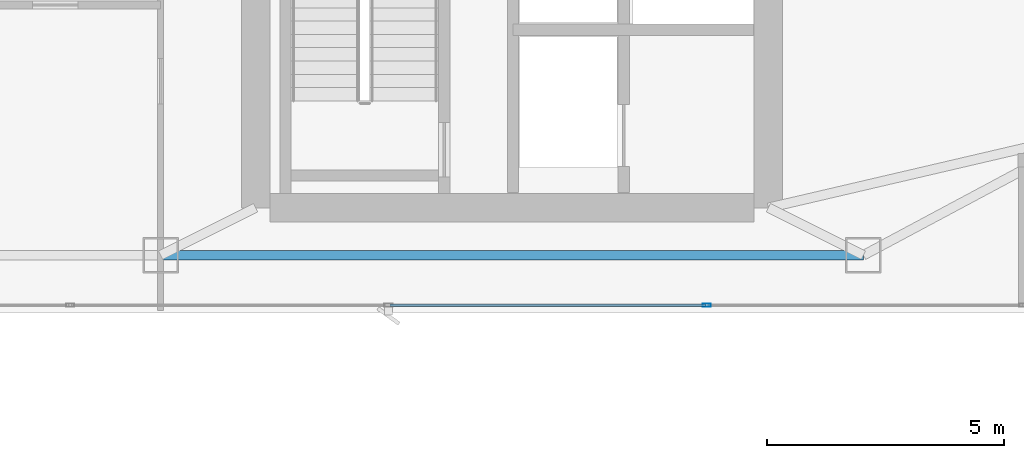
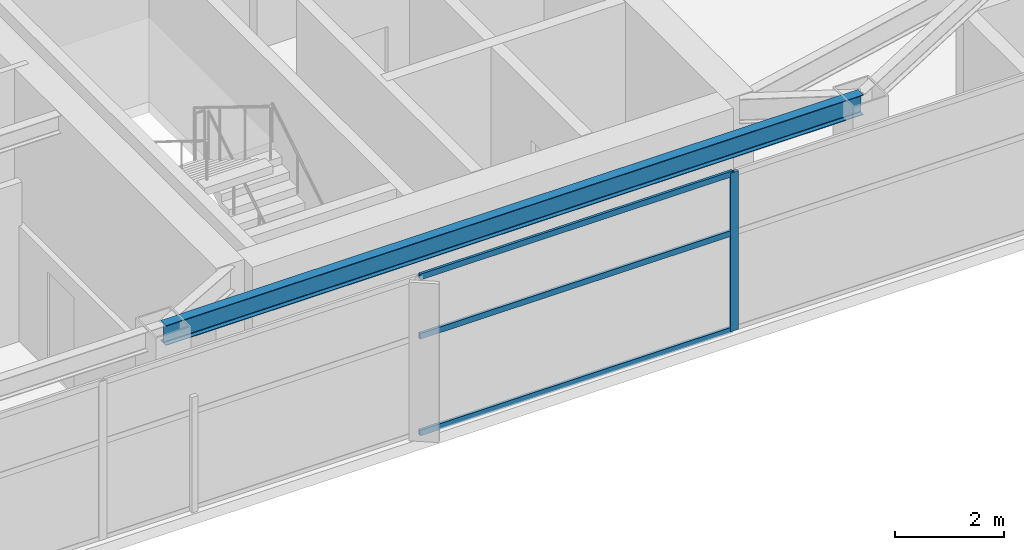
# One storey, part 8 of 27: 4 members, 1 beam, 1 element without a shape of its own.
"""IFC4 building model written with IfcOpenShell, lengths in metres."""

from ifc_helpers import new_model, si_unit, direction, frame, origin, origin_2d, place, context, subcontext, project, spatial, hollow_rectangle, i_section, extrude, material, layer, layer_set, material_profile, profile_set, type_object, element, aggregate, save


model = new_model("IFC4")

# Units and contexts
model_context = context("Model", 3, precision=1e-05, world=origin(), true_north=direction((0.0, 1.0)))
body_context = subcontext(model_context, "Body", "Model", "MODEL_VIEW")
ifc_project = project(units=[si_unit("LENGTHUNIT", "METRE"), si_unit("AREAUNIT", "SQUARE_METRE"), si_unit("VOLUMEUNIT", "CUBIC_METRE"), si_unit("PLANEANGLEUNIT", "RADIAN"), si_unit("MASSUNIT", "GRAM", prefix="KILO")], contexts=[model_context])

# Site, building, storey
site_placement = place(None, origin())
site = spatial("IfcSite", under=ifc_project, at=site_placement, CompositionType="ELEMENT")
building_placement = place(site_placement, origin())
building = spatial("IfcBuilding", under=site, at=building_placement, Name="Calvorn Quay Hotel", CompositionType="ELEMENT")
storey_placement = place(building_placement, frame((0.0, 0.0, 294.89990234375)))
storey = spatial("IfcBuildingStorey", under=building, at=storey_placement, Name="L73", CompositionType="ELEMENT", Elevation=294.89990234375)

# Beam
ifc_material_1 = material(Name="Steel Q355B", Category="steel")
ifc_material_profile_1 = material_profile(ifc_material_1, i_section(OverallWidth=0.199951171875, OverallDepth=0.449951171875, WebThickness=0.009033203125, FlangeThickness=0.013916015625, FilletRadius=0.01611328125, at=origin_2d()), Name="HN450x200x9x14")
ifc_profile_set_1 = profile_set([ifc_material_profile_1], Name="Steel Q355B")
beam_type = type_object("IfcBeamType", Name="BM-SPANDREL-Z3", PredefinedType="SPANDREL", material=ifc_profile_set_1)
beam_placement = place(storey_placement, frame((19.60009765625, 3.60009765625, 3.315185546875), z_axis=(1.0, 0.0, 0.0), x_axis=(0.0, 1.0, 0.0)))
element("IfcBeam", 1, at=beam_placement, inside=storey, type_object=beam_type, Name="Beam BSP-L73-S3", PredefinedType="SPANDREL", context=body_context, shape_type="SweptSolid", body=[
    extrude(i_section(OverallWidth=0.199951171875, OverallDepth=0.449951171875, WebThickness=0.009033203125, FlangeThickness=0.013916015625, FilletRadius=0.01611328125, at=origin_2d()), origin(), (0.0, 0.0, 1.0), 14.7998046875),
])

# Curtain wall, members
ifc_material_2 = material(Name="Champagne Bronze Anodised Aluminium and Low-E Glass", Category="aluminium")
ifc_layer = layer(ifc_material_2, 0.219970703125)
ifc_layer_set = layer_set([ifc_layer], Name="CW-SYS-Z4")
curtain_wall_type = type_object("IfcCurtainWallType", Name="CW-SYS-Z4", PredefinedType="NOTDEFINED", material=ifc_layer_set)
curtain_wall_placement = place(storey_placement, origin())
curtain_wall = element("IfcCurtainWall", 2, at=curtain_wall_placement, inside=storey, type_object=curtain_wall_type, Name="Tower South Waterfront Curtain Wall (L73)", PredefinedType="NOTDEFINED")
ifc_material_3 = material(Name="Champagne Bronze Anodised Aluminium 6063-T6", Category="aluminium")
ifc_material_profile_2 = material_profile(ifc_material_3, hollow_rectangle(XDim=0.06494140625, YDim=0.169921875, WallThickness=0.00341796875, at=origin_2d()), Name="ALU-M170x65x3.5")
ifc_profile_set_2 = profile_set([ifc_material_profile_2], Name="Champagne Bronze Anodised Aluminium 6063-T6")
member_type_1 = type_object("IfcMemberType", Name="CW-SYS-Z4-MUL", PredefinedType="MULLION", material=ifc_profile_set_2)
member_1_placement = place(storey_placement, frame((31.10009765625, 2.550048828125, 0.0), z_axis=(0.0, 0.0, 1.0), x_axis=(0.0, 1.0, 0.0)))
member_1 = element("IfcMember", 3, at=member_1_placement, type_object=member_type_1, Name="CW-L73-S mullion 4", PredefinedType="MULLION", context=body_context, shape_type="SweptSolid", body=[
    extrude(hollow_rectangle(XDim=0.06494140625, YDim=0.169921875, WallThickness=0.00341796875, at=origin_2d()), origin(), (0.0, 0.0, 1.0), 3.56005859375),
])
ifc_material_4 = material(Name="Champagne Bronze Anodised Aluminium 6063-T6", Category="aluminium")
ifc_material_profile_3 = material_profile(ifc_material_4, hollow_rectangle(XDim=0.054931640625, YDim=0.1298828125, WallThickness=0.003173828125, at=origin_2d()), Name="ALU-T130x55x3.2")
ifc_profile_set_3 = profile_set([ifc_material_profile_3], Name="Champagne Bronze Anodised Aluminium 6063-T6")
member_type_2 = type_object("IfcMemberType", Name="CW-SYS-Z4-TRN", PredefinedType="USERDEFINED", material=ifc_profile_set_3)
member_2_placement = place(storey_placement, frame((24.429931640625, 2.550048828125, 0.030029296875), z_axis=(1.0, 0.0, 0.0), x_axis=(0.0, 1.0, 0.0)))
member_2 = element("IfcMember", 4, at=member_2_placement, type_object=member_type_2, Name="CW-L73-S transom 3.1", ObjectType="TRANSOM", PredefinedType="USERDEFINED", context=body_context, shape_type="SweptSolid", body=[
    extrude(hollow_rectangle(XDim=0.054931640625, YDim=0.1298828125, WallThickness=0.003173828125, at=origin_2d()), origin(), (0.0, 0.0, 1.0), 6.64013671875),
])
member_3_placement = place(storey_placement, frame((24.429931640625, 2.550048828125, 2.2001953125), z_axis=(1.0, 0.0, 0.0), x_axis=(0.0, 1.0, 0.0)))
member_3 = element("IfcMember", 5, at=member_3_placement, type_object=member_type_2, Name="CW-L73-S transom 3.2", ObjectType="TRANSOM", PredefinedType="USERDEFINED", context=body_context, shape_type="SweptSolid", body=[
    extrude(hollow_rectangle(XDim=0.054931640625, YDim=0.1298828125, WallThickness=0.003173828125, at=origin_2d()), origin(), (0.0, 0.0, 1.0), 6.64013671875),
])
member_4_placement = place(storey_placement, frame((24.429931640625, 2.550048828125, 3.530029296875), z_axis=(1.0, 0.0, 0.0), x_axis=(0.0, 1.0, 0.0)))
member_4 = element("IfcMember", 6, at=member_4_placement, type_object=member_type_2, Name="CW-L73-S transom 3.3", ObjectType="TRANSOM", PredefinedType="USERDEFINED", context=body_context, shape_type="SweptSolid", body=[
    extrude(hollow_rectangle(XDim=0.054931640625, YDim=0.1298828125, WallThickness=0.003173828125, at=origin_2d()), origin(), (0.0, 0.0, 1.0), 6.64013671875),
])
aggregate(curtain_wall, [member_1, member_2, member_3, member_4])

save(model, "model.ifc")
